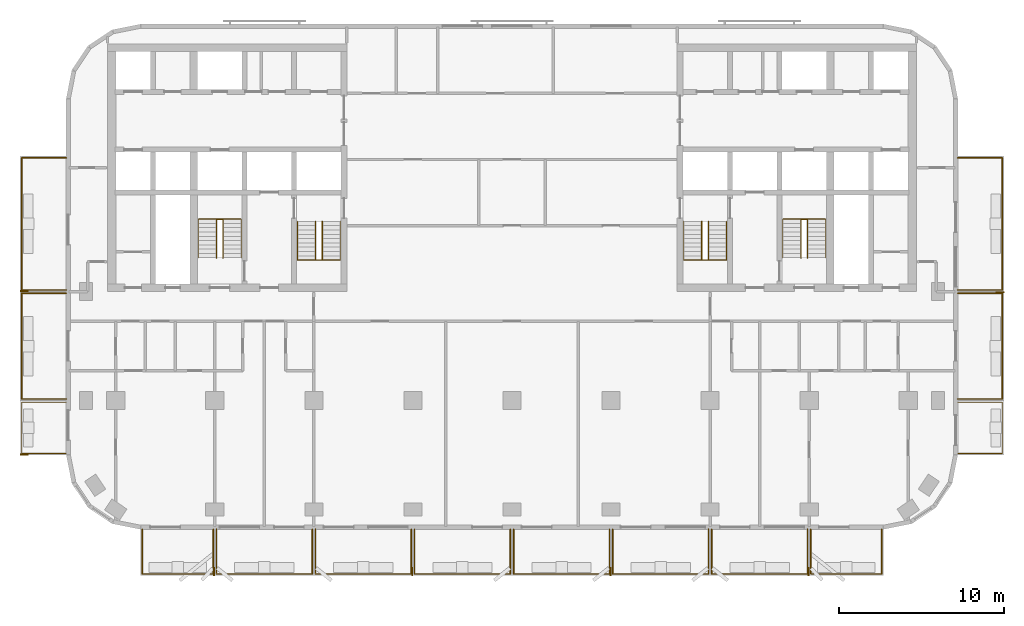
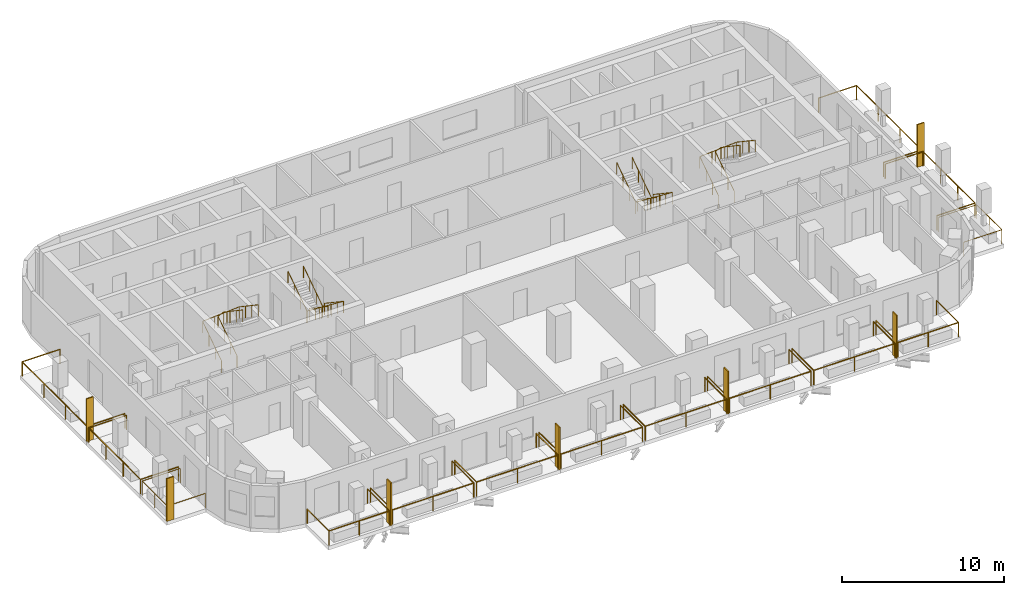
# One storey, part 9 of 11: 22 railings, 7 shading devices.
"""IFC4 building model written with IfcOpenShell, lengths in metres."""

from ifc_helpers import new_model, si_unit, direction, frame, origin, origin_2d, place, context, subcontext, project, spatial, rectangle, circle, extrude, material, layer, layer_set, type_object, element, save


model = new_model("IFC4")

# Units and contexts
model_context = context("Model", 3, precision=1e-05, world=origin(), true_north=direction((0.0, 1.0)))
body_context = subcontext(model_context, "Body", "Model", "MODEL_VIEW")
ifc_project = project(units=[si_unit("LENGTHUNIT", "METRE"), si_unit("AREAUNIT", "SQUARE_METRE"), si_unit("VOLUMEUNIT", "CUBIC_METRE"), si_unit("PLANEANGLEUNIT", "RADIAN"), si_unit("MASSUNIT", "GRAM", prefix="KILO")], contexts=[model_context])

# Site, building, storey
site_placement = place(None, origin())
site = spatial("IfcSite", under=ifc_project, at=site_placement, CompositionType="ELEMENT")
building_placement = place(site_placement, origin())
building = spatial("IfcBuilding", under=site, at=building_placement, Name="Torana Hotel and Residences", CompositionType="ELEMENT")
storey_placement = place(building_placement, frame((0.0, 0.0, 183.60009765625)))
storey = spatial("IfcBuildingStorey", under=building, at=storey_placement, Name="L47", CompositionType="ELEMENT", Elevation=183.60009765625)

# Shading devices
ifc_material_1 = material(Name="Black powder coated aluminium", Category="aluminium")
ifc_layer = layer(ifc_material_1, 0.080078125)
ifc_layer_set = layer_set([ifc_layer], Name="FN1 VERTICAL FIN 500x80")
shading_device_type = type_object("IfcShadingDeviceType", Name="FN1 VERTICAL FIN 500x80", PredefinedType="USERDEFINED", material=ifc_layer_set)
for number, where, z_axis, x_axis, name in (
    (1, (-18.0400390625, -31.949951171875, 0.0), (0.0, 0.0, 1.0), (-1.0, 0.0, 0.0), "Fin 01"),
    (2, (-6.0400390625, -31.949951171875, 0.0), (0.0, 0.0, 1.0), (-1.0, 0.0, 0.0), "Fin 03"),
    (3, (5.9599609375, -31.949951171875, 0.0), (0.0, 0.0, 1.0), (-1.0, 0.0, 0.0), "Fin 05"),
    (4, (17.9599609375, -31.949951171875, 0.0), (0.0, 0.0, 1.0), (-1.0, 0.0, 0.0), "Fin 07"),
    (5, (-29.550048828125, -24.860107421875, 0.0), (0.0, 0.0, 1.0), (0.0, 1.0, 0.0), "Fin 09"),
    (6, (-29.550048828125, -14.9599609375, 0.0), (0.0, 0.0, 1.0), (0.0, 1.0, 0.0), "Fin 11"),
    (7, (29.550048828125, -15.0400390625, 0.0), (0.0, 0.0, 1.0), (0.0, -1.0, 0.0), "Fin 13"),
):
    element("IfcShadingDevice", number, at=place(storey_placement, frame(where, z_axis=z_axis, x_axis=x_axis)), inside=storey, type_object=shading_device_type, Name=name, ObjectType="FIN", PredefinedType="USERDEFINED", context=body_context, shape_type="SweptSolid", body=[
        extrude(rectangle(XDim=0.080078125, YDim=0.5, at=origin_2d()), origin(), (0.0, 0.0, 1.0), 3.219970703125),
    ])

# Railings
ifc_material_2 = material(Name="Laminated glass balustrade with black handrail", Category="glass")
railing_type_1 = type_object("IfcRailingType", Name="GR1 BALCONY GUARD 1100 GLASS", PredefinedType="GUARDRAIL", material=ifc_material_2)
railing_1_placement = place(storey_placement, frame((-18.10009765625, -29.39990234375, 0.0)))
element("IfcRailing", 8, at=railing_1_placement, inside=storey, type_object=railing_type_1, Name="Balcony guard 01", PredefinedType="GUARDRAIL", context=body_context, shape_type="SweptSolid", body=[
    extrude(circle(Radius=0.02392578125, at=origin_2d()), frame((0.0, 0.0, 1.076171875), z_axis=(0.0, -1.0, 0.0), x_axis=(1.0, 0.0, 0.0)), (0.0, 0.0, 1.0), 2.7001953125),
    extrude(circle(Radius=0.02392578125, at=origin_2d()), frame((0.0, -2.7001953125, 1.076171875), z_axis=(-1.0, 0.0, 0.0), x_axis=(0.0, -1.0, 0.0)), (0.0, 0.0, 1.0), 4.2998046875),
    extrude(circle(Radius=0.02392578125, at=origin_2d()), frame((-4.2998046875, -2.7001953125, 1.076171875), z_axis=(0.0, 1.0, 0.0), x_axis=(-1.0, 0.0, 0.0)), (0.0, 0.0, 1.0), 2.7001953125),
    extrude(circle(Radius=0.02099609375, at=origin_2d()), origin(), (0.0, 0.0, 1.0), 1.052001953125),
    extrude(circle(Radius=0.02099609375, at=origin_2d()), frame((0.0, -2.7001953125, 0.0)), (0.0, 0.0, 1.0), 1.052001953125),
    extrude(circle(Radius=0.02099609375, at=origin_2d()), frame((-2.14990234375, -2.7001953125, 0.0)), (0.0, 0.0, 1.0), 1.052001953125),
    extrude(circle(Radius=0.02099609375, at=origin_2d()), frame((-4.2998046875, -2.7001953125, 0.0)), (0.0, 0.0, 1.0), 1.052001953125),
    extrude(circle(Radius=0.02099609375, at=origin_2d()), frame((-4.2998046875, 0.0, 0.0)), (0.0, 0.0, 1.0), 1.052001953125),
])
for number, where, name in (
    (9, (-12.10009765625, -29.39990234375, 0.0), "Balcony guard 02"),
    (10, (-6.10009765625, -29.39990234375, 0.0), "Balcony guard 03"),
    (11, (-0.10009765625, -29.39990234375, 0.0), "Balcony guard 04"),
    (12, (5.89990234375, -29.39990234375, 0.0), "Balcony guard 05"),
    (13, (11.89990234375, -29.39990234375, 0.0), "Balcony guard 06"),
    (14, (17.89990234375, -29.39990234375, 0.0), "Balcony guard 07"),
):
    element("IfcRailing", number, at=place(storey_placement, frame(where)), inside=storey, type_object=railing_type_1, Name=name, PredefinedType="GUARDRAIL", context=body_context, shape_type="SweptSolid", body=[
        extrude(circle(Radius=0.02392578125, at=origin_2d()), frame((0.0, 0.0, 1.076171875), z_axis=(0.0, -1.0, 0.0), x_axis=(1.0, 0.0, 0.0)), (0.0, 0.0, 1.0), 2.7001953125),
        extrude(circle(Radius=0.02392578125, at=origin_2d()), frame((0.0, -2.7001953125, 1.076171875), z_axis=(-1.0, 0.0, 0.0), x_axis=(0.0, -1.0, 0.0)), (0.0, 0.0, 1.0), 5.7998046875),
        extrude(circle(Radius=0.02392578125, at=origin_2d()), frame((-5.7998046875, -2.7001953125, 1.076171875), z_axis=(0.0, 1.0, 0.0), x_axis=(-1.0, 0.0, 0.0)), (0.0, 0.0, 1.0), 2.7001953125),
        extrude(circle(Radius=0.02099609375, at=origin_2d()), origin(), (0.0, 0.0, 1.0), 1.052001953125),
        extrude(circle(Radius=0.02099609375, at=origin_2d()), frame((0.0, -2.7001953125, 0.0)), (0.0, 0.0, 1.0), 1.052001953125),
        extrude(circle(Radius=0.02099609375, at=origin_2d()), frame((-2.89990234375, -2.7001953125, 0.0)), (0.0, 0.0, 1.0), 1.052001953125),
        extrude(circle(Radius=0.02099609375, at=origin_2d()), frame((-5.7998046875, -2.7001953125, 0.0)), (0.0, 0.0, 1.0), 1.052001953125),
        extrude(circle(Radius=0.02099609375, at=origin_2d()), frame((-5.7998046875, 0.0, 0.0)), (0.0, 0.0, 1.0), 1.052001953125),
    ])
railing_2_placement = place(storey_placement, frame((22.39990234375, -29.39990234375, 0.0)))
element("IfcRailing", 15, at=railing_2_placement, inside=storey, type_object=railing_type_1, Name="Balcony guard 08", PredefinedType="GUARDRAIL", context=body_context, shape_type="SweptSolid", body=[
    extrude(circle(Radius=0.02392578125, at=origin_2d()), frame((0.0, 0.0, 1.076171875), z_axis=(0.0, -1.0, 0.0), x_axis=(1.0, 0.0, 0.0)), (0.0, 0.0, 1.0), 2.7001953125),
    extrude(circle(Radius=0.02392578125, at=origin_2d()), frame((0.0, -2.7001953125, 1.076171875), z_axis=(-1.0, 0.0, 0.0), x_axis=(0.0, -1.0, 0.0)), (0.0, 0.0, 1.0), 4.2998046875),
    extrude(circle(Radius=0.02392578125, at=origin_2d()), frame((-4.2998046875, -2.7001953125, 1.076171875), z_axis=(0.0, 1.0, 0.0), x_axis=(-1.0, 0.0, 0.0)), (0.0, 0.0, 1.0), 2.7001953125),
    extrude(circle(Radius=0.02099609375, at=origin_2d()), origin(), (0.0, 0.0, 1.0), 1.052001953125),
    extrude(circle(Radius=0.02099609375, at=origin_2d()), frame((0.0, -2.7001953125, 0.0)), (0.0, 0.0, 1.0), 1.052001953125),
    extrude(circle(Radius=0.02099609375, at=origin_2d()), frame((-2.14990234375, -2.7001953125, 0.0)), (0.0, 0.0, 1.0), 1.052001953125),
    extrude(circle(Radius=0.02099609375, at=origin_2d()), frame((-4.2998046875, -2.7001953125, 0.0)), (0.0, 0.0, 1.0), 1.052001953125),
    extrude(circle(Radius=0.02099609375, at=origin_2d()), frame((-4.2998046875, 0.0, 0.0)), (0.0, 0.0, 1.0), 1.052001953125),
])
railing_3_placement = place(storey_placement, frame((-27.0, -24.800048828125, 0.0)))
element("IfcRailing", 16, at=railing_3_placement, inside=storey, type_object=railing_type_1, Name="Balcony guard 09", PredefinedType="GUARDRAIL", context=body_context, shape_type="SweptSolid", body=[
    extrude(circle(Radius=0.02392578125, at=origin_2d()), frame((0.0, 0.0, 1.076171875), z_axis=(-1.0, 0.0, 0.0), x_axis=(0.0, -1.0, 0.0)), (0.0, 0.0, 1.0), 2.699951171875),
    extrude(circle(Radius=0.02392578125, at=origin_2d()), frame((-2.699951171875, 0.0, 1.076171875), z_axis=(0.0, 1.0, 0.0), x_axis=(-1.0, 0.0, 0.0)), (0.0, 0.0, 1.0), 3.10009765625),
    extrude(circle(Radius=0.02392578125, at=origin_2d()), frame((-2.699951171875, 3.10009765625, 1.076171875), z_axis=(1.0, 0.0, 0.0), x_axis=(0.0, 1.0, 0.0)), (0.0, 0.0, 1.0), 2.699951171875),
    extrude(circle(Radius=0.02099609375, at=origin_2d()), origin(), (0.0, 0.0, 1.0), 1.052001953125),
    extrude(circle(Radius=0.02099609375, at=origin_2d()), frame((-2.699951171875, 0.0, 0.0)), (0.0, 0.0, 1.0), 1.052001953125),
    extrude(circle(Radius=0.02099609375, at=origin_2d()), frame((-2.699951171875, 1.550048828125, 0.0)), (0.0, 0.0, 1.0), 1.052001953125),
    extrude(circle(Radius=0.02099609375, at=origin_2d()), frame((-2.699951171875, 3.10009765625, 0.0)), (0.0, 0.0, 1.0), 1.052001953125),
    extrude(circle(Radius=0.02099609375, at=origin_2d()), frame((0.0, 3.10009765625, 0.0)), (0.0, 0.0, 1.0), 1.052001953125),
])
railing_4_placement = place(storey_placement, frame((-27.0, -21.5, 0.0)))
element("IfcRailing", 17, at=railing_4_placement, inside=storey, type_object=railing_type_1, Name="Balcony guard 10", PredefinedType="GUARDRAIL", context=body_context, shape_type="SweptSolid", body=[
    extrude(circle(Radius=0.02392578125, at=origin_2d()), frame((0.0, 0.0, 1.076171875), z_axis=(-1.0, 0.0, 0.0), x_axis=(0.0, -1.0, 0.0)), (0.0, 0.0, 1.0), 2.699951171875),
    extrude(circle(Radius=0.02392578125, at=origin_2d()), frame((-2.699951171875, 0.0, 1.076171875), z_axis=(0.0, 1.0, 0.0), x_axis=(-1.0, 0.0, 0.0)), (0.0, 0.0, 1.0), 6.39990234375),
    extrude(circle(Radius=0.02392578125, at=origin_2d()), frame((-2.699951171875, 6.39990234375, 1.076171875), z_axis=(1.0, 0.0, 0.0), x_axis=(0.0, 1.0, 0.0)), (0.0, 0.0, 1.0), 2.699951171875),
    extrude(circle(Radius=0.02099609375, at=origin_2d()), origin(), (0.0, 0.0, 1.0), 1.052001953125),
    extrude(circle(Radius=0.02099609375, at=origin_2d()), frame((-2.699951171875, 0.0, 0.0)), (0.0, 0.0, 1.0), 1.052001953125),
    extrude(circle(Radius=0.02099609375, at=origin_2d()), frame((-2.699951171875, 2.13330078125, 0.0)), (0.0, 0.0, 1.0), 1.052001953125),
    extrude(circle(Radius=0.02099609375, at=origin_2d()), frame((-2.699951171875, 4.2666015625, 0.0)), (0.0, 0.0, 1.0), 1.052001953125),
    extrude(circle(Radius=0.02099609375, at=origin_2d()), frame((-2.699951171875, 6.39990234375, 0.0)), (0.0, 0.0, 1.0), 1.052001953125),
    extrude(circle(Radius=0.02099609375, at=origin_2d()), frame((0.0, 6.39990234375, 0.0)), (0.0, 0.0, 1.0), 1.052001953125),
])
railing_5_placement = place(storey_placement, frame((-27.0, -14.89990234375, 0.0)))
element("IfcRailing", 18, at=railing_5_placement, inside=storey, type_object=railing_type_1, Name="Balcony guard 11", PredefinedType="GUARDRAIL", context=body_context, shape_type="SweptSolid", body=[
    extrude(circle(Radius=0.02392578125, at=origin_2d()), frame((0.0, 0.0, 1.076171875), z_axis=(-1.0, 0.0, 0.0), x_axis=(0.0, -1.0, 0.0)), (0.0, 0.0, 1.0), 2.699951171875),
    extrude(circle(Radius=0.02392578125, at=origin_2d()), frame((-2.699951171875, 0.0, 1.076171875), z_axis=(0.0, 1.0, 0.0), x_axis=(-1.0, 0.0, 0.0)), (0.0, 0.0, 1.0), 8.0),
    extrude(circle(Radius=0.02392578125, at=origin_2d()), frame((-2.699951171875, 8.0, 1.076171875), z_axis=(1.0, 0.0, 0.0), x_axis=(0.0, 1.0, 0.0)), (0.0, 0.0, 1.0), 2.699951171875),
    extrude(circle(Radius=0.02099609375, at=origin_2d()), origin(), (0.0, 0.0, 1.0), 1.052001953125),
    extrude(circle(Radius=0.02099609375, at=origin_2d()), frame((-2.699951171875, 0.0, 0.0)), (0.0, 0.0, 1.0), 1.052001953125),
    extrude(circle(Radius=0.02099609375, at=origin_2d()), frame((-2.699951171875, 2.666748046875, 0.0)), (0.0, 0.0, 1.0), 1.052001953125),
    extrude(circle(Radius=0.02099609375, at=origin_2d()), frame((-2.699951171875, 5.333251953125, 0.0)), (0.0, 0.0, 1.0), 1.052001953125),
    extrude(circle(Radius=0.02099609375, at=origin_2d()), frame((-2.699951171875, 8.0, 0.0)), (0.0, 0.0, 1.0), 1.052001953125),
    extrude(circle(Radius=0.02099609375, at=origin_2d()), frame((0.0, 8.0, 0.0)), (0.0, 0.0, 1.0), 1.052001953125),
])
railing_6_placement = place(storey_placement, frame((27.0, -21.699951171875, 0.0)))
element("IfcRailing", 19, at=railing_6_placement, inside=storey, type_object=railing_type_1, Name="Balcony guard 12", PredefinedType="GUARDRAIL", context=body_context, shape_type="SweptSolid", body=[
    extrude(circle(Radius=0.02392578125, at=origin_2d()), frame((0.0, 0.0, 1.076171875), z_axis=(1.0, 0.0, 0.0), x_axis=(0.0, 1.0, 0.0)), (0.0, 0.0, 1.0), 2.699951171875),
    extrude(circle(Radius=0.02392578125, at=origin_2d()), frame((2.699951171875, 0.0, 1.076171875), z_axis=(0.0, -1.0, 0.0), x_axis=(1.0, 0.0, 0.0)), (0.0, 0.0, 1.0), 3.10009765625),
    extrude(circle(Radius=0.02392578125, at=origin_2d()), frame((2.699951171875, -3.10009765625, 1.076171875), z_axis=(-1.0, 0.0, 0.0), x_axis=(0.0, -1.0, 0.0)), (0.0, 0.0, 1.0), 2.699951171875),
    extrude(circle(Radius=0.02099609375, at=origin_2d()), origin(), (0.0, 0.0, 1.0), 1.052001953125),
    extrude(circle(Radius=0.02099609375, at=origin_2d()), frame((2.699951171875, 0.0, 0.0)), (0.0, 0.0, 1.0), 1.052001953125),
    extrude(circle(Radius=0.02099609375, at=origin_2d()), frame((2.699951171875, -1.550048828125, 0.0)), (0.0, 0.0, 1.0), 1.052001953125),
    extrude(circle(Radius=0.02099609375, at=origin_2d()), frame((2.699951171875, -3.10009765625, 0.0)), (0.0, 0.0, 1.0), 1.052001953125),
    extrude(circle(Radius=0.02099609375, at=origin_2d()), frame((0.0, -3.10009765625, 0.0)), (0.0, 0.0, 1.0), 1.052001953125),
])
railing_7_placement = place(storey_placement, frame((27.0, -15.10009765625, 0.0)))
element("IfcRailing", 20, at=railing_7_placement, inside=storey, type_object=railing_type_1, Name="Balcony guard 13", PredefinedType="GUARDRAIL", context=body_context, shape_type="SweptSolid", body=[
    extrude(circle(Radius=0.02392578125, at=origin_2d()), frame((0.0, 0.0, 1.076171875), z_axis=(1.0, 0.0, 0.0), x_axis=(0.0, 1.0, 0.0)), (0.0, 0.0, 1.0), 2.699951171875),
    extrude(circle(Radius=0.02392578125, at=origin_2d()), frame((2.699951171875, 0.0, 1.076171875), z_axis=(0.0, -1.0, 0.0), x_axis=(1.0, 0.0, 0.0)), (0.0, 0.0, 1.0), 6.39990234375),
    extrude(circle(Radius=0.02392578125, at=origin_2d()), frame((2.699951171875, -6.39990234375, 1.076171875), z_axis=(-1.0, 0.0, 0.0), x_axis=(0.0, -1.0, 0.0)), (0.0, 0.0, 1.0), 2.699951171875),
    extrude(circle(Radius=0.02099609375, at=origin_2d()), origin(), (0.0, 0.0, 1.0), 1.052001953125),
    extrude(circle(Radius=0.02099609375, at=origin_2d()), frame((2.699951171875, 0.0, 0.0)), (0.0, 0.0, 1.0), 1.052001953125),
    extrude(circle(Radius=0.02099609375, at=origin_2d()), frame((2.699951171875, -2.13330078125, 0.0)), (0.0, 0.0, 1.0), 1.052001953125),
    extrude(circle(Radius=0.02099609375, at=origin_2d()), frame((2.699951171875, -4.2666015625, 0.0)), (0.0, 0.0, 1.0), 1.052001953125),
    extrude(circle(Radius=0.02099609375, at=origin_2d()), frame((2.699951171875, -6.39990234375, 0.0)), (0.0, 0.0, 1.0), 1.052001953125),
    extrude(circle(Radius=0.02099609375, at=origin_2d()), frame((0.0, -6.39990234375, 0.0)), (0.0, 0.0, 1.0), 1.052001953125),
])
railing_8_placement = place(storey_placement, frame((27.0, -6.89990234375, 0.0)))
element("IfcRailing", 21, at=railing_8_placement, inside=storey, type_object=railing_type_1, Name="Balcony guard 14", PredefinedType="GUARDRAIL", context=body_context, shape_type="SweptSolid", body=[
    extrude(circle(Radius=0.02392578125, at=origin_2d()), frame((0.0, 0.0, 1.076171875), z_axis=(1.0, 0.0, 0.0), x_axis=(0.0, 1.0, 0.0)), (0.0, 0.0, 1.0), 2.699951171875),
    extrude(circle(Radius=0.02392578125, at=origin_2d()), frame((2.699951171875, 0.0, 1.076171875), z_axis=(0.0, -1.0, 0.0), x_axis=(1.0, 0.0, 0.0)), (0.0, 0.0, 1.0), 8.0),
    extrude(circle(Radius=0.02392578125, at=origin_2d()), frame((2.699951171875, -8.0, 1.076171875), z_axis=(-1.0, 0.0, 0.0), x_axis=(0.0, -1.0, 0.0)), (0.0, 0.0, 1.0), 2.699951171875),
    extrude(circle(Radius=0.02099609375, at=origin_2d()), origin(), (0.0, 0.0, 1.0), 1.052001953125),
    extrude(circle(Radius=0.02099609375, at=origin_2d()), frame((2.699951171875, 0.0, 0.0)), (0.0, 0.0, 1.0), 1.052001953125),
    extrude(circle(Radius=0.02099609375, at=origin_2d()), frame((2.699951171875, -2.666748046875, 0.0)), (0.0, 0.0, 1.0), 1.052001953125),
    extrude(circle(Radius=0.02099609375, at=origin_2d()), frame((2.699951171875, -5.333251953125, 0.0)), (0.0, 0.0, 1.0), 1.052001953125),
    extrude(circle(Radius=0.02099609375, at=origin_2d()), frame((2.699951171875, -8.0, 0.0)), (0.0, 0.0, 1.0), 1.052001953125),
    extrude(circle(Radius=0.02099609375, at=origin_2d()), frame((0.0, -8.0, 0.0)), (0.0, 0.0, 1.0), 1.052001953125),
])
ifc_material_3 = material(Name="Stainless steel 316", Category="steel")
railing_type_2 = type_object("IfcRailingType", Name="STAIR HANDRAIL HR1 900", PredefinedType="HANDRAIL", material=ifc_material_3)
railing_9_placement = place(storey_placement, frame((-10.39990234375, -10.75, 0.1748046875)))
element("IfcRailing", 22, at=railing_9_placement, inside=storey, type_object=railing_type_2, Name="Handrail ST1 L47 O1", PredefinedType="HANDRAIL", context=body_context, shape_type="SweptSolid", body=[
    extrude(circle(Radius=0.02392578125, at=origin_2d()), frame((0.0, 0.0, 0.8759765625), z_axis=(0.0, -0.829565388462, 0.558409586474), x_axis=(1.0, 0.0, 0.0)), (0.0, 0.0, 1.0), 2.82080078125),
    extrude(circle(Radius=0.02392578125, at=origin_2d()), frame((0.0, -2.340087890625, 2.451171875), z_axis=(-0.997747692642, 0.0, 0.067078624219), x_axis=(0.0, -1.0, 0.0)), (0.0, 0.0, 1.0), 2.60595703125),
    extrude(circle(Radius=0.02392578125, at=origin_2d()), frame((-2.60009765625, -2.340087890625, 2.6259765625), z_axis=(0.0, 0.829565388462, 0.558409586474), x_axis=(-1.0, 0.0, 0.0)), (0.0, 0.0, 1.0), 2.82080078125),
    extrude(circle(Radius=0.02099609375, at=origin_2d()), origin(), (0.0, 0.0, 1.0), 0.851806640625),
    extrude(circle(Radius=0.02099609375, at=origin_2d()), frame((0.0, -0.780029296875, 0.525146484375)), (0.0, 0.0, 1.0), 0.851806640625),
    extrude(circle(Radius=0.02099609375, at=origin_2d()), frame((0.0, -1.56005859375, 1.050048828125)), (0.0, 0.0, 1.0), 0.851806640625),
    extrude(circle(Radius=0.02099609375, at=origin_2d()), frame((0.0, -2.340087890625, 1.5751953125)), (0.0, 0.0, 1.0), 0.851806640625),
    extrude(circle(Radius=0.02099609375, at=origin_2d()), frame((-0.86669921875, -2.340087890625, 1.633544921875)), (0.0, 0.0, 1.0), 0.851806640625),
    extrude(circle(Radius=0.02099609375, at=origin_2d()), frame((-1.7333984375, -2.340087890625, 1.691650390625)), (0.0, 0.0, 1.0), 0.851806640625),
    extrude(circle(Radius=0.02099609375, at=origin_2d()), frame((-2.60009765625, -2.340087890625, 1.75)), (0.0, 0.0, 1.0), 0.851806640625),
    extrude(circle(Radius=0.02099609375, at=origin_2d()), frame((-2.60009765625, -1.56005859375, 2.275146484375)), (0.0, 0.0, 1.0), 0.851806640625),
    extrude(circle(Radius=0.02099609375, at=origin_2d()), frame((-2.60009765625, -0.780029296875, 2.800048828125)), (0.0, 0.0, 1.0), 0.851806640625),
    extrude(circle(Radius=0.02099609375, at=origin_2d()), frame((-2.60009765625, 0.0, 3.3251953125)), (0.0, 0.0, 1.0), 0.851806640625),
])
railing_10_placement = place(storey_placement, frame((-11.5, -10.75, 0.1748046875)))
element("IfcRailing", 23, at=railing_10_placement, inside=storey, type_object=railing_type_2, Name="Handrail ST1 L47 I1", PredefinedType="HANDRAIL", context=body_context, shape_type="SweptSolid", body=[
    extrude(circle(Radius=0.02392578125, at=origin_2d()), frame((0.0, 0.0, 0.8759765625), z_axis=(0.0, -0.829565388462, 0.558409586474), x_axis=(1.0, 0.0, 0.0)), (0.0, 0.0, 1.0), 2.82080078125),
    extrude(circle(Radius=0.02392578125, at=origin_2d()), frame((0.0, -2.340087890625, 2.451171875), z_axis=(-0.916285673175, 0.0, 0.400525361412), x_axis=(0.0, -1.0, 0.0)), (0.0, 0.0, 1.0), 0.4365234375),
    extrude(circle(Radius=0.02392578125, at=origin_2d()), frame((-0.39990234375, -2.340087890625, 2.6259765625), z_axis=(0.0, 0.829565388462, 0.558409586474), x_axis=(-1.0, 0.0, 0.0)), (0.0, 0.0, 1.0), 2.82080078125),
    extrude(circle(Radius=0.02099609375, at=origin_2d()), origin(), (0.0, 0.0, 1.0), 0.851806640625),
    extrude(circle(Radius=0.02099609375, at=origin_2d()), frame((0.0, -0.780029296875, 0.525146484375)), (0.0, 0.0, 1.0), 0.851806640625),
    extrude(circle(Radius=0.02099609375, at=origin_2d()), frame((0.0, -1.56005859375, 1.050048828125)), (0.0, 0.0, 1.0), 0.851806640625),
    extrude(circle(Radius=0.02099609375, at=origin_2d()), frame((0.0, -2.340087890625, 1.5751953125)), (0.0, 0.0, 1.0), 0.851806640625),
    extrude(circle(Radius=0.02099609375, at=origin_2d()), frame((-0.39990234375, -2.340087890625, 1.75)), (0.0, 0.0, 1.0), 0.851806640625),
    extrude(circle(Radius=0.02099609375, at=origin_2d()), frame((-0.39990234375, -1.56005859375, 2.275146484375)), (0.0, 0.0, 1.0), 0.851806640625),
    extrude(circle(Radius=0.02099609375, at=origin_2d()), frame((-0.39990234375, -0.780029296875, 2.800048828125)), (0.0, 0.0, 1.0), 0.851806640625),
    extrude(circle(Radius=0.02099609375, at=origin_2d()), frame((-0.39990234375, 0.0, 3.3251953125)), (0.0, 0.0, 1.0), 0.851806640625),
])
railing_11_placement = place(storey_placement, frame((-19.0, -12.949951171875, 0.1748046875)))
element("IfcRailing", 24, at=railing_11_placement, inside=storey, type_object=railing_type_2, Name="Handrail ST2 L47 O1", PredefinedType="HANDRAIL", context=body_context, shape_type="SweptSolid", body=[
    extrude(circle(Radius=0.02392578125, at=origin_2d()), frame((0.0, 0.0, 0.8759765625), z_axis=(0.0, 0.829538397957, 0.558449681095), x_axis=(-1.0, 0.0, 0.0)), (0.0, 0.0, 1.0), 2.820556640625),
    extrude(circle(Radius=0.02392578125, at=origin_2d()), frame((0.0, 2.33984375, 2.451171875), z_axis=(0.997747692642, 0.0, 0.067078624219), x_axis=(0.0, 1.0, 0.0)), (0.0, 0.0, 1.0), 2.60595703125),
    extrude(circle(Radius=0.02392578125, at=origin_2d()), frame((2.60009765625, 2.33984375, 2.6259765625), z_axis=(0.0, -0.829538397957, 0.558449681095), x_axis=(1.0, 0.0, 0.0)), (0.0, 0.0, 1.0), 2.820556640625),
    extrude(circle(Radius=0.02099609375, at=origin_2d()), origin(), (0.0, 0.0, 1.0), 0.851806640625),
    extrude(circle(Radius=0.02099609375, at=origin_2d()), frame((0.0, 0.780029296875, 0.525146484375)), (0.0, 0.0, 1.0), 0.851806640625),
    extrude(circle(Radius=0.02099609375, at=origin_2d()), frame((0.0, 1.559814453125, 1.050048828125)), (0.0, 0.0, 1.0), 0.851806640625),
    extrude(circle(Radius=0.02099609375, at=origin_2d()), frame((0.0, 2.33984375, 1.5751953125)), (0.0, 0.0, 1.0), 0.851806640625),
    extrude(circle(Radius=0.02099609375, at=origin_2d()), frame((0.86669921875, 2.33984375, 1.633544921875)), (0.0, 0.0, 1.0), 0.851806640625),
    extrude(circle(Radius=0.02099609375, at=origin_2d()), frame((1.7333984375, 2.33984375, 1.691650390625)), (0.0, 0.0, 1.0), 0.851806640625),
    extrude(circle(Radius=0.02099609375, at=origin_2d()), frame((2.60009765625, 2.33984375, 1.75)), (0.0, 0.0, 1.0), 0.851806640625),
    extrude(circle(Radius=0.02099609375, at=origin_2d()), frame((2.60009765625, 1.559814453125, 2.275146484375)), (0.0, 0.0, 1.0), 0.851806640625),
    extrude(circle(Radius=0.02099609375, at=origin_2d()), frame((2.60009765625, 0.780029296875, 2.800048828125)), (0.0, 0.0, 1.0), 0.851806640625),
    extrude(circle(Radius=0.02099609375, at=origin_2d()), frame((2.60009765625, 0.0, 3.3251953125)), (0.0, 0.0, 1.0), 0.851806640625),
])
railing_12_placement = place(storey_placement, frame((-17.89990234375, -12.949951171875, 0.1748046875)))
element("IfcRailing", 25, at=railing_12_placement, inside=storey, type_object=railing_type_2, Name="Handrail ST2 L47 I1", PredefinedType="HANDRAIL", context=body_context, shape_type="SweptSolid", body=[
    extrude(circle(Radius=0.02392578125, at=origin_2d()), frame((0.0, 0.0, 0.8759765625), z_axis=(0.0, 0.829538397957, 0.558449681095), x_axis=(-1.0, 0.0, 0.0)), (0.0, 0.0, 1.0), 2.820556640625),
    extrude(circle(Radius=0.02392578125, at=origin_2d()), frame((0.0, 2.33984375, 2.451171875), z_axis=(0.916285673175, 0.0, 0.400525361412), x_axis=(0.0, 1.0, 0.0)), (0.0, 0.0, 1.0), 0.4365234375),
    extrude(circle(Radius=0.02392578125, at=origin_2d()), frame((0.39990234375, 2.33984375, 2.6259765625), z_axis=(0.0, -0.829538397957, 0.558449681095), x_axis=(1.0, 0.0, 0.0)), (0.0, 0.0, 1.0), 2.820556640625),
    extrude(circle(Radius=0.02099609375, at=origin_2d()), origin(), (0.0, 0.0, 1.0), 0.851806640625),
    extrude(circle(Radius=0.02099609375, at=origin_2d()), frame((0.0, 0.780029296875, 0.525146484375)), (0.0, 0.0, 1.0), 0.851806640625),
    extrude(circle(Radius=0.02099609375, at=origin_2d()), frame((0.0, 1.559814453125, 1.050048828125)), (0.0, 0.0, 1.0), 0.851806640625),
    extrude(circle(Radius=0.02099609375, at=origin_2d()), frame((0.0, 2.33984375, 1.5751953125)), (0.0, 0.0, 1.0), 0.851806640625),
    extrude(circle(Radius=0.02099609375, at=origin_2d()), frame((0.39990234375, 2.33984375, 1.75)), (0.0, 0.0, 1.0), 0.851806640625),
    extrude(circle(Radius=0.02099609375, at=origin_2d()), frame((0.39990234375, 1.559814453125, 2.275146484375)), (0.0, 0.0, 1.0), 0.851806640625),
    extrude(circle(Radius=0.02099609375, at=origin_2d()), frame((0.39990234375, 0.780029296875, 2.800048828125)), (0.0, 0.0, 1.0), 0.851806640625),
    extrude(circle(Radius=0.02099609375, at=origin_2d()), frame((0.39990234375, 0.0, 3.3251953125)), (0.0, 0.0, 1.0), 0.851806640625),
])
railing_13_placement = place(storey_placement, frame((13.0, -10.75, 0.1748046875)))
element("IfcRailing", 26, at=railing_13_placement, inside=storey, type_object=railing_type_2, Name="Handrail ST3 L47 O1", PredefinedType="HANDRAIL", context=body_context, shape_type="SweptSolid", body=[
    extrude(circle(Radius=0.02392578125, at=origin_2d()), frame((0.0, 0.0, 0.8759765625), z_axis=(0.0, -0.829565388462, 0.558409586474), x_axis=(1.0, 0.0, 0.0)), (0.0, 0.0, 1.0), 2.82080078125),
    extrude(circle(Radius=0.02392578125, at=origin_2d()), frame((0.0, -2.340087890625, 2.451171875), z_axis=(-0.997747692642, 0.0, 0.067078624219), x_axis=(0.0, -1.0, 0.0)), (0.0, 0.0, 1.0), 2.60595703125),
    extrude(circle(Radius=0.02392578125, at=origin_2d()), frame((-2.60009765625, -2.340087890625, 2.6259765625), z_axis=(0.0, 0.829565388462, 0.558409586474), x_axis=(-1.0, 0.0, 0.0)), (0.0, 0.0, 1.0), 2.82080078125),
    extrude(circle(Radius=0.02099609375, at=origin_2d()), origin(), (0.0, 0.0, 1.0), 0.851806640625),
    extrude(circle(Radius=0.02099609375, at=origin_2d()), frame((0.0, -0.780029296875, 0.525146484375)), (0.0, 0.0, 1.0), 0.851806640625),
    extrude(circle(Radius=0.02099609375, at=origin_2d()), frame((0.0, -1.56005859375, 1.050048828125)), (0.0, 0.0, 1.0), 0.851806640625),
    extrude(circle(Radius=0.02099609375, at=origin_2d()), frame((0.0, -2.340087890625, 1.5751953125)), (0.0, 0.0, 1.0), 0.851806640625),
    extrude(circle(Radius=0.02099609375, at=origin_2d()), frame((-0.86669921875, -2.340087890625, 1.633544921875)), (0.0, 0.0, 1.0), 0.851806640625),
    extrude(circle(Radius=0.02099609375, at=origin_2d()), frame((-1.7333984375, -2.340087890625, 1.691650390625)), (0.0, 0.0, 1.0), 0.851806640625),
    extrude(circle(Radius=0.02099609375, at=origin_2d()), frame((-2.60009765625, -2.340087890625, 1.75)), (0.0, 0.0, 1.0), 0.851806640625),
    extrude(circle(Radius=0.02099609375, at=origin_2d()), frame((-2.60009765625, -1.56005859375, 2.275146484375)), (0.0, 0.0, 1.0), 0.851806640625),
    extrude(circle(Radius=0.02099609375, at=origin_2d()), frame((-2.60009765625, -0.780029296875, 2.800048828125)), (0.0, 0.0, 1.0), 0.851806640625),
    extrude(circle(Radius=0.02099609375, at=origin_2d()), frame((-2.60009765625, 0.0, 3.3251953125)), (0.0, 0.0, 1.0), 0.851806640625),
])
railing_14_placement = place(storey_placement, frame((11.89990234375, -10.75, 0.1748046875)))
element("IfcRailing", 27, at=railing_14_placement, inside=storey, type_object=railing_type_2, Name="Handrail ST3 L47 I1", PredefinedType="HANDRAIL", context=body_context, shape_type="SweptSolid", body=[
    extrude(circle(Radius=0.02392578125, at=origin_2d()), frame((0.0, 0.0, 0.8759765625), z_axis=(0.0, -0.829565388462, 0.558409586474), x_axis=(1.0, 0.0, 0.0)), (0.0, 0.0, 1.0), 2.82080078125),
    extrude(circle(Radius=0.02392578125, at=origin_2d()), frame((0.0, -2.340087890625, 2.451171875), z_axis=(-0.916285673175, 0.0, 0.400525361412), x_axis=(0.0, -1.0, 0.0)), (0.0, 0.0, 1.0), 0.4365234375),
    extrude(circle(Radius=0.02392578125, at=origin_2d()), frame((-0.39990234375, -2.340087890625, 2.6259765625), z_axis=(0.0, 0.829565388462, 0.558409586474), x_axis=(-1.0, 0.0, 0.0)), (0.0, 0.0, 1.0), 2.82080078125),
    extrude(circle(Radius=0.02099609375, at=origin_2d()), origin(), (0.0, 0.0, 1.0), 0.851806640625),
    extrude(circle(Radius=0.02099609375, at=origin_2d()), frame((0.0, -0.780029296875, 0.525146484375)), (0.0, 0.0, 1.0), 0.851806640625),
    extrude(circle(Radius=0.02099609375, at=origin_2d()), frame((0.0, -1.56005859375, 1.050048828125)), (0.0, 0.0, 1.0), 0.851806640625),
    extrude(circle(Radius=0.02099609375, at=origin_2d()), frame((0.0, -2.340087890625, 1.5751953125)), (0.0, 0.0, 1.0), 0.851806640625),
    extrude(circle(Radius=0.02099609375, at=origin_2d()), frame((-0.39990234375, -2.340087890625, 1.75)), (0.0, 0.0, 1.0), 0.851806640625),
    extrude(circle(Radius=0.02099609375, at=origin_2d()), frame((-0.39990234375, -1.56005859375, 2.275146484375)), (0.0, 0.0, 1.0), 0.851806640625),
    extrude(circle(Radius=0.02099609375, at=origin_2d()), frame((-0.39990234375, -0.780029296875, 2.800048828125)), (0.0, 0.0, 1.0), 0.851806640625),
    extrude(circle(Radius=0.02099609375, at=origin_2d()), frame((-0.39990234375, 0.0, 3.3251953125)), (0.0, 0.0, 1.0), 0.851806640625),
])
railing_15_placement = place(storey_placement, frame((16.39990234375, -12.949951171875, 0.1748046875)))
element("IfcRailing", 28, at=railing_15_placement, inside=storey, type_object=railing_type_2, Name="Handrail ST4 L47 O1", PredefinedType="HANDRAIL", context=body_context, shape_type="SweptSolid", body=[
    extrude(circle(Radius=0.02392578125, at=origin_2d()), frame((0.0, 0.0, 0.8759765625), z_axis=(0.0, 0.829538397957, 0.558449681095), x_axis=(-1.0, 0.0, 0.0)), (0.0, 0.0, 1.0), 2.820556640625),
    extrude(circle(Radius=0.02392578125, at=origin_2d()), frame((0.0, 2.33984375, 2.451171875), z_axis=(0.997747692642, 0.0, 0.067078624219), x_axis=(0.0, 1.0, 0.0)), (0.0, 0.0, 1.0), 2.60595703125),
    extrude(circle(Radius=0.02392578125, at=origin_2d()), frame((2.60009765625, 2.33984375, 2.6259765625), z_axis=(0.0, -0.829538397957, 0.558449681095), x_axis=(1.0, 0.0, 0.0)), (0.0, 0.0, 1.0), 2.820556640625),
    extrude(circle(Radius=0.02099609375, at=origin_2d()), origin(), (0.0, 0.0, 1.0), 0.851806640625),
    extrude(circle(Radius=0.02099609375, at=origin_2d()), frame((0.0, 0.780029296875, 0.525146484375)), (0.0, 0.0, 1.0), 0.851806640625),
    extrude(circle(Radius=0.02099609375, at=origin_2d()), frame((0.0, 1.559814453125, 1.050048828125)), (0.0, 0.0, 1.0), 0.851806640625),
    extrude(circle(Radius=0.02099609375, at=origin_2d()), frame((0.0, 2.33984375, 1.5751953125)), (0.0, 0.0, 1.0), 0.851806640625),
    extrude(circle(Radius=0.02099609375, at=origin_2d()), frame((0.86669921875, 2.33984375, 1.633544921875)), (0.0, 0.0, 1.0), 0.851806640625),
    extrude(circle(Radius=0.02099609375, at=origin_2d()), frame((1.7333984375, 2.33984375, 1.691650390625)), (0.0, 0.0, 1.0), 0.851806640625),
    extrude(circle(Radius=0.02099609375, at=origin_2d()), frame((2.60009765625, 2.33984375, 1.75)), (0.0, 0.0, 1.0), 0.851806640625),
    extrude(circle(Radius=0.02099609375, at=origin_2d()), frame((2.60009765625, 1.559814453125, 2.275146484375)), (0.0, 0.0, 1.0), 0.851806640625),
    extrude(circle(Radius=0.02099609375, at=origin_2d()), frame((2.60009765625, 0.780029296875, 2.800048828125)), (0.0, 0.0, 1.0), 0.851806640625),
    extrude(circle(Radius=0.02099609375, at=origin_2d()), frame((2.60009765625, 0.0, 3.3251953125)), (0.0, 0.0, 1.0), 0.851806640625),
])
railing_16_placement = place(storey_placement, frame((17.5, -12.949951171875, 0.1748046875)))
element("IfcRailing", 29, at=railing_16_placement, inside=storey, type_object=railing_type_2, Name="Handrail ST4 L47 I1", PredefinedType="HANDRAIL", context=body_context, shape_type="SweptSolid", body=[
    extrude(circle(Radius=0.02392578125, at=origin_2d()), frame((0.0, 0.0, 0.8759765625), z_axis=(0.0, 0.829538397957, 0.558449681095), x_axis=(-1.0, 0.0, 0.0)), (0.0, 0.0, 1.0), 2.820556640625),
    extrude(circle(Radius=0.02392578125, at=origin_2d()), frame((0.0, 2.33984375, 2.451171875), z_axis=(0.916285673175, 0.0, 0.400525361412), x_axis=(0.0, 1.0, 0.0)), (0.0, 0.0, 1.0), 0.4365234375),
    extrude(circle(Radius=0.02392578125, at=origin_2d()), frame((0.39990234375, 2.33984375, 2.6259765625), z_axis=(0.0, -0.829538397957, 0.558449681095), x_axis=(1.0, 0.0, 0.0)), (0.0, 0.0, 1.0), 2.820556640625),
    extrude(circle(Radius=0.02099609375, at=origin_2d()), origin(), (0.0, 0.0, 1.0), 0.851806640625),
    extrude(circle(Radius=0.02099609375, at=origin_2d()), frame((0.0, 0.780029296875, 0.525146484375)), (0.0, 0.0, 1.0), 0.851806640625),
    extrude(circle(Radius=0.02099609375, at=origin_2d()), frame((0.0, 1.559814453125, 1.050048828125)), (0.0, 0.0, 1.0), 0.851806640625),
    extrude(circle(Radius=0.02099609375, at=origin_2d()), frame((0.0, 2.33984375, 1.5751953125)), (0.0, 0.0, 1.0), 0.851806640625),
    extrude(circle(Radius=0.02099609375, at=origin_2d()), frame((0.39990234375, 2.33984375, 1.75)), (0.0, 0.0, 1.0), 0.851806640625),
    extrude(circle(Radius=0.02099609375, at=origin_2d()), frame((0.39990234375, 1.559814453125, 2.275146484375)), (0.0, 0.0, 1.0), 0.851806640625),
    extrude(circle(Radius=0.02099609375, at=origin_2d()), frame((0.39990234375, 0.780029296875, 2.800048828125)), (0.0, 0.0, 1.0), 0.851806640625),
    extrude(circle(Radius=0.02099609375, at=origin_2d()), frame((0.39990234375, 0.0, 3.3251953125)), (0.0, 0.0, 1.0), 0.851806640625),
])

save(model, "model.ifc")
